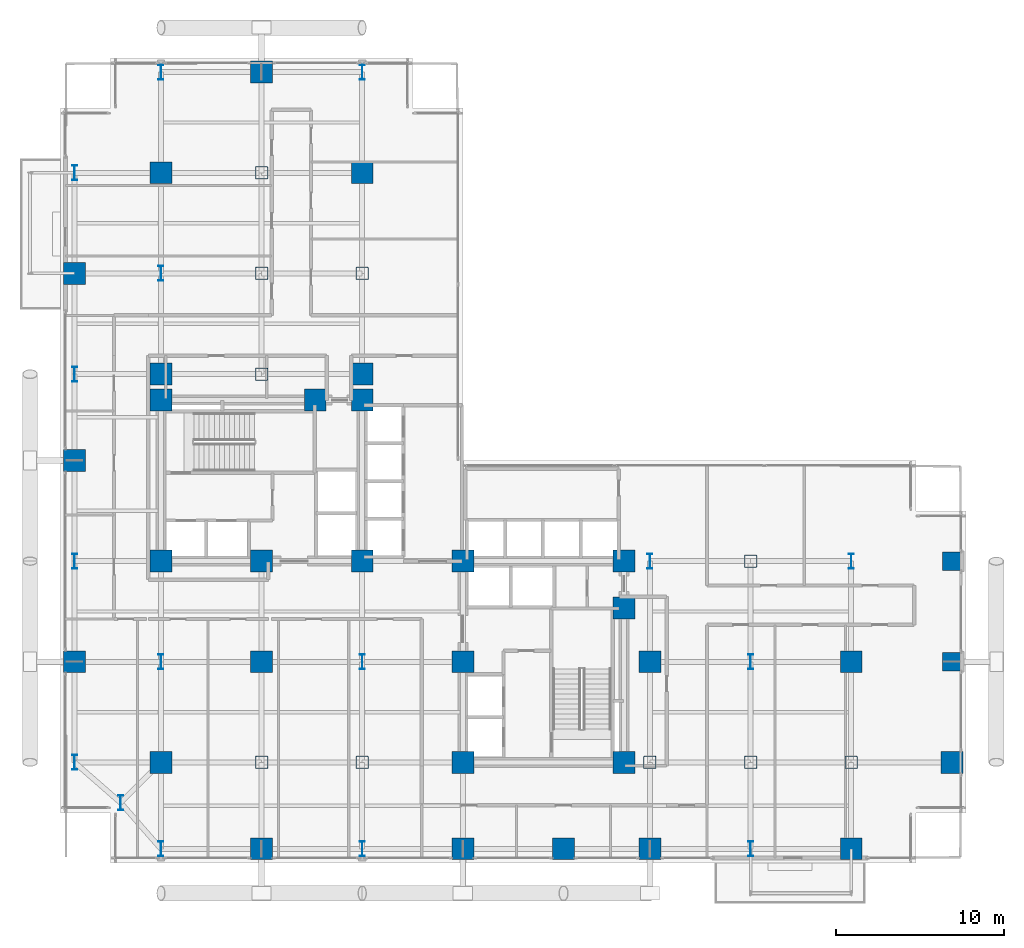
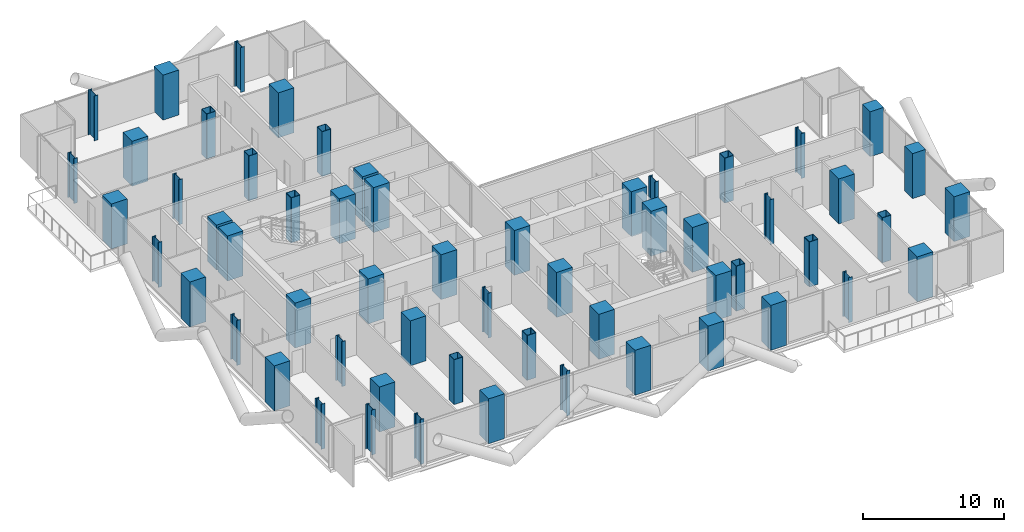
# One storey, part 1 of 27: 58 columns.
"""IFC4 building model written with IfcOpenShell, lengths in metres."""

from ifc_helpers import new_model, si_unit, direction, frame, origin, origin_2d, place, context, subcontext, project, spatial, rectangle, hollow_rectangle, i_section, extrude, material, material_profile, profile_set, type_object, element, save


model = new_model("IFC4")

# Units and contexts
model_context = context("Model", 3, precision=1e-05, world=origin(), true_north=direction((0.0, 1.0)))
body_context = subcontext(model_context, "Body", "Model", "MODEL_VIEW")
ifc_project = project(units=[si_unit("LENGTHUNIT", "METRE"), si_unit("AREAUNIT", "SQUARE_METRE"), si_unit("VOLUMEUNIT", "CUBIC_METRE"), si_unit("PLANEANGLEUNIT", "RADIAN"), si_unit("MASSUNIT", "GRAM", prefix="KILO"), si_unit("THERMODYNAMICTEMPERATUREUNIT", "KELVIN"), si_unit("POWERUNIT", "WATT")], contexts=[model_context])

# Site, building, storey
site_placement = place(None, origin())
site = spatial("IfcSite", under=ifc_project, at=site_placement, CompositionType="ELEMENT")
building_placement = place(site_placement, origin())
building = spatial("IfcBuilding", under=site, at=building_placement, Name="Svarakhadi Broadcast Tower", CompositionType="ELEMENT")
storey_placement = place(building_placement, frame((0.0, 0.0, 44.10009765625)))
storey = spatial("IfcBuildingStorey", under=building, at=storey_placement, Name="L09", CompositionType="ELEMENT", Elevation=44.10009765625)

# Columns
ifc_material_1 = material(Name="Steel S460ML (IS 2062 E450BR)", Category="steel")
ifc_material_profile_1 = material_profile(ifc_material_1, hollow_rectangle(XDim=0.75, YDim=0.75, WallThickness=0.034912109375, InnerFilletRadius=0.034912109375, OuterFilletRadius=0.050048828125, at=origin_2d()), Name="BOX 750x750x35")
ifc_profile_set_1 = profile_set([ifc_material_profile_1], Name="Steel S460ML (IS 2062 E450BR)")
column_type_1 = type_object("IfcColumnType", Name="Col_BOX750", PredefinedType="COLUMN", material=ifc_profile_set_1)
for number, where, z_axis, x_axis, name in (
    (1, (12.0, 6.0, 0.0), (0.0, 0.0, 1.0), (1.0, 0.0, 0.0), "L09 Column G19"),
    (2, (12.0, 29.14990234375, 0.0), (0.0, 0.0, 1.0), (1.0, 0.0, 0.0), "L09 Column G21"),
    (3, (12.0, 35.14990234375, 0.0), (0.0, 0.0, 1.0), (1.0, 0.0, 0.0), "L09 Column G22"),
    (4, (12.0, 41.14990234375, 0.0), (0.0, 0.0, 1.0), (1.0, 0.0, 0.0), "L09 Column G23"),
    (5, (18.0, 6.0, 0.0), (0.0, 0.0, 1.0), (1.0, 0.0, 0.0), "L09 Column G26"),
    (6, (18.0, 35.14990234375, 0.0), (0.0, 0.0, 1.0), (1.0, 0.0, 0.0), "L09 Column G29"),
    (7, (35.14990234375, 6.0, 0.0), (0.0, 0.0, 1.0), (1.0, 0.0, 0.0), "L09 Column G39"),
    (8, (41.14990234375, 6.0, 0.0), (0.0, 0.0, 1.0), (1.0, 0.0, 0.0), "L09 Column G44"),
    (9, (41.14990234375, 18.0, 0.0), (0.0, 0.0, 1.0), (1.0, 0.0, 0.0), "L09 Column G46"),
    (10, (47.14990234375, 6.0, 0.0), (0.0, 0.0, 1.0), (1.0, 0.0, 0.0), "L09 Column G51"),
):
    element("IfcColumn", number, at=place(storey_placement, frame(where, z_axis=z_axis, x_axis=x_axis)), inside=storey, type_object=column_type_1, Name=name, PredefinedType="COLUMN", context=body_context, shape_type="SweptSolid", body=[
        extrude(hollow_rectangle(XDim=0.75, YDim=0.75, WallThickness=0.034912109375, InnerFilletRadius=0.034912109375, OuterFilletRadius=0.050048828125, at=origin_2d()), origin(), (0.0, 0.0, 1.0), 3.89990234375),
    ])
ifc_material_2 = material(Name="Concrete C50/60 (IS 456 M60)", Category="concrete")
ifc_material_profile_2 = material_profile(ifc_material_2, rectangle(XDim=1.10009765625, YDim=1.10009765625, at=origin_2d()), Name="RC 1100x1100")
ifc_profile_set_2 = profile_set([ifc_material_profile_2], Name="Concrete C50/60 (IS 456 M60)")
column_type_2 = type_object("IfcColumnType", Name="Col_RC1100", PredefinedType="COLUMN", material=ifc_profile_set_2)
for number, where, z_axis, x_axis, name in (
    (11, (53.14990234375, 12.0, 0.0), (0.0, 0.0, 1.0), (1.0, 0.0, 0.0), "L09 Zone-1 East Stack Column ZT02"),
    (12, (53.14990234375, 18.0, 0.0), (0.0, 0.0, 1.0), (1.0, 0.0, 0.0), "L09 Zone-1 East Stack Column ZT03"),
):
    element("IfcColumn", number, at=place(storey_placement, frame(where, z_axis=z_axis, x_axis=x_axis)), inside=storey, type_object=column_type_2, Name=name, PredefinedType="COLUMN", context=body_context, shape_type="SweptSolid", body=[
        extrude(rectangle(XDim=1.10009765625, YDim=1.10009765625, at=origin_2d()), origin(), (0.0, 0.0, 1.0), 3.89990234375),
    ])
ifc_material_3 = material(Name="Concrete C60/75 (IS 456 M70)", Category="concrete")
ifc_material_profile_3 = material_profile(ifc_material_3, rectangle(XDim=1.300048828125, YDim=1.300048828125, at=origin_2d()), Name="RC 1300x1300")
ifc_profile_set_3 = profile_set([ifc_material_profile_3], Name="Concrete C60/75 (IS 456 M70)")
column_type_3 = type_object("IfcColumnType", Name="Col_RC1300", PredefinedType="COLUMN", material=ifc_profile_set_3)
for number, where, z_axis, x_axis, name in (
    (13, (6.0, 18.0, 0.0), (0.0, 0.0, 1.0), (1.0, 0.0, 0.0), "L09 Column CW1"),
    (14, (12.0, 18.0, 0.0), (0.0, 0.0, 1.0), (1.0, 0.0, 0.0), "L09 Column CW2"),
    (15, (18.0, 18.0, 0.0), (0.0, 0.0, 1.0), (1.0, 0.0, 0.0), "L09 Column CW3"),
    (16, (6.0, 27.60009765625, 0.0), (0.0, 0.0, 1.0), (1.0, 0.0, 0.0), "L09 Column CW4"),
    (17, (15.199951171875, 27.60009765625, 0.0), (0.0, 0.0, 1.0), (1.0, 0.0, 0.0), "L09 Column CW5"),
    (18, (18.0, 27.60009765625, 0.0), (0.0, 0.0, 1.0), (1.0, 0.0, 0.0), "L09 Column CW6"),
    (19, (24.0, 6.0, 0.0), (0.0, 0.0, 1.0), (1.0, 0.0, 0.0), "L09 Column CE1"),
    (20, (24.0, 12.0, 0.0), (0.0, 0.0, 1.0), (1.0, 0.0, 0.0), "L09 Column CE2"),
    (21, (24.0, 18.0, 0.0), (0.0, 0.0, 1.0), (1.0, 0.0, 0.0), "L09 Column CE3"),
    (22, (33.60009765625, 6.0, 0.0), (0.0, 0.0, 1.0), (1.0, 0.0, 0.0), "L09 Column CE4"),
    (23, (33.60009765625, 15.199951171875, 0.0), (0.0, 0.0, 1.0), (1.0, 0.0, 0.0), "L09 Column CE5"),
    (24, (33.60009765625, 18.0, 0.0), (0.0, 0.0, 1.0), (1.0, 0.0, 0.0), "L09 Column CE6"),
    (25, (0.85009765625, 12.0, 0.0), (0.0, 0.0, 1.0), (1.0, 0.0, 0.0), "L09 Column G04"),
    (26, (0.85009765625, 24.0, 0.0), (0.0, 0.0, 1.0), (1.0, 0.0, 0.0), "L09 Column G06"),
    (27, (0.85009765625, 35.14990234375, 0.0), (0.0, 0.0, 1.0), (1.0, 0.0, 0.0), "L09 Column G08"),
    (28, (6.0, 6.0, 0.0), (0.0, 0.0, 1.0), (1.0, 0.0, 0.0), "L09 Column G12"),
    (29, (6.0, 29.14990234375, 0.0), (0.0, 0.0, 1.0), (1.0, 0.0, 0.0), "L09 Column G14"),
    (30, (6.0, 41.14990234375, 0.0), (0.0, 0.0, 1.0), (1.0, 0.0, 0.0), "L09 Column G16"),
    (31, (12.0, 0.85009765625, 0.0), (0.0, 0.0, 1.0), (1.0, 0.0, 0.0), "L09 Column G18"),
    (32, (12.0, 12.0, 0.0), (0.0, 0.0, 1.0), (1.0, 0.0, 0.0), "L09 Column G20"),
    (33, (12.0, 47.14990234375, 0.0), (0.0, 0.0, 1.0), (1.0, 0.0, 0.0), "L09 Column G24"),
    (34, (18.0, 29.14990234375, 0.0), (0.0, 0.0, 1.0), (1.0, 0.0, 0.0), "L09 Column G28"),
    (35, (18.0, 41.14990234375, 0.0), (0.0, 0.0, 1.0), (1.0, 0.0, 0.0), "L09 Column G30"),
    (36, (24.0, 0.85009765625, 0.0), (0.0, 0.0, 1.0), (1.0, 0.0, 0.0), "L09 Column G32"),
    (37, (30.0, 0.85009765625, 0.0), (0.0, 0.0, 1.0), (1.0, 0.0, 0.0), "L09 Column G36"),
    (38, (35.14990234375, 0.85009765625, 0.0), (0.0, 0.0, 1.0), (1.0, 0.0, 0.0), "L09 Column G38"),
    (39, (35.14990234375, 12.0, 0.0), (0.0, 0.0, 1.0), (1.0, 0.0, 0.0), "L09 Column G40"),
    (40, (47.14990234375, 0.85009765625, 0.0), (0.0, 0.0, 1.0), (1.0, 0.0, 0.0), "L09 Column G50"),
    (41, (47.14990234375, 12.0, 0.0), (0.0, 0.0, 1.0), (1.0, 0.0, 0.0), "L09 Column G52"),
    (42, (53.14990234375, 6.0, 0.0), (0.0, 0.0, 1.0), (1.0, 0.0, 0.0), "L09 Column G58"),
):
    element("IfcColumn", number, at=place(storey_placement, frame(where, z_axis=z_axis, x_axis=x_axis)), inside=storey, type_object=column_type_3, Name=name, PredefinedType="COLUMN", context=body_context, shape_type="SweptSolid", body=[
        extrude(rectangle(XDim=1.300048828125, YDim=1.300048828125, at=origin_2d()), origin(), (0.0, 0.0, 1.0), 3.89990234375),
    ])
ifc_material_profile_4 = material_profile(ifc_material_1, i_section(OverallWidth=0.300048828125, OverallDepth=0.89990234375, WebThickness=0.0185546875, FlangeThickness=0.034912109375, FilletRadius=0.030029296875, at=origin_2d()), Name="WPB 900x300x291")
ifc_profile_set_4 = profile_set([ifc_material_profile_4], Name="Steel S460ML (IS 2062 E450BR)")
column_type_4 = type_object("IfcColumnType", Name="Col_WPB900", PredefinedType="COLUMN", material=ifc_profile_set_4)
for number, where, z_axis, x_axis, name in (
    (43, (3.60009765625, 3.60009765625, 0.0), (0.0, 0.0, 1.0), (1.0, 0.0, 0.0), "L09 Column G01"),
    (44, (0.85009765625, 6.0, 0.0), (0.0, 0.0, 1.0), (1.0, 0.0, 0.0), "L09 Column G03"),
    (45, (0.85009765625, 18.0, 0.0), (0.0, 0.0, 1.0), (1.0, 0.0, 0.0), "L09 Column G05"),
    (46, (0.85009765625, 29.14990234375, 0.0), (0.0, 0.0, 1.0), (1.0, 0.0, 0.0), "L09 Column G07"),
    (47, (0.85009765625, 41.14990234375, 0.0), (0.0, 0.0, 1.0), (1.0, 0.0, 0.0), "L09 Column G09"),
    (48, (6.0, 0.85009765625, 0.0), (0.0, 0.0, 1.0), (1.0, 0.0, 0.0), "L09 Column G11"),
    (49, (6.0, 12.0, 0.0), (0.0, 0.0, 1.0), (1.0, 0.0, 0.0), "L09 Column G13"),
    (50, (6.0, 35.14990234375, 0.0), (0.0, 0.0, 1.0), (1.0, 0.0, 0.0), "L09 Column G15"),
    (51, (6.0, 47.14990234375, 0.0), (0.0, 0.0, 1.0), (1.0, 0.0, 0.0), "L09 Column G17"),
    (52, (18.0, 0.85009765625, 0.0), (0.0, 0.0, 1.0), (1.0, 0.0, 0.0), "L09 Column G25"),
    (53, (18.0, 12.0, 0.0), (0.0, 0.0, 1.0), (1.0, 0.0, 0.0), "L09 Column G27"),
    (54, (18.0, 47.14990234375, 0.0), (0.0, 0.0, 1.0), (1.0, 0.0, 0.0), "L09 Column G31"),
    (55, (35.14990234375, 18.0, 0.0), (0.0, 0.0, 1.0), (1.0, 0.0, 0.0), "L09 Column G41"),
    (56, (41.14990234375, 0.85009765625, 0.0), (0.0, 0.0, 1.0), (1.0, 0.0, 0.0), "L09 Column G43"),
    (57, (41.14990234375, 12.0, 0.0), (0.0, 0.0, 1.0), (1.0, 0.0, 0.0), "L09 Column G45"),
    (58, (47.14990234375, 18.0, 0.0), (0.0, 0.0, 1.0), (1.0, 0.0, 0.0), "L09 Column G53"),
):
    element("IfcColumn", number, at=place(storey_placement, frame(where, z_axis=z_axis, x_axis=x_axis)), inside=storey, type_object=column_type_4, Name=name, PredefinedType="COLUMN", context=body_context, shape_type="SweptSolid", body=[
        extrude(i_section(OverallWidth=0.300048828125, OverallDepth=0.89990234375, WebThickness=0.0185546875, FlangeThickness=0.034912109375, FilletRadius=0.030029296875, at=origin_2d()), origin(), (0.0, 0.0, 1.0), 3.89990234375),
    ])

save(model, "model.ifc")
